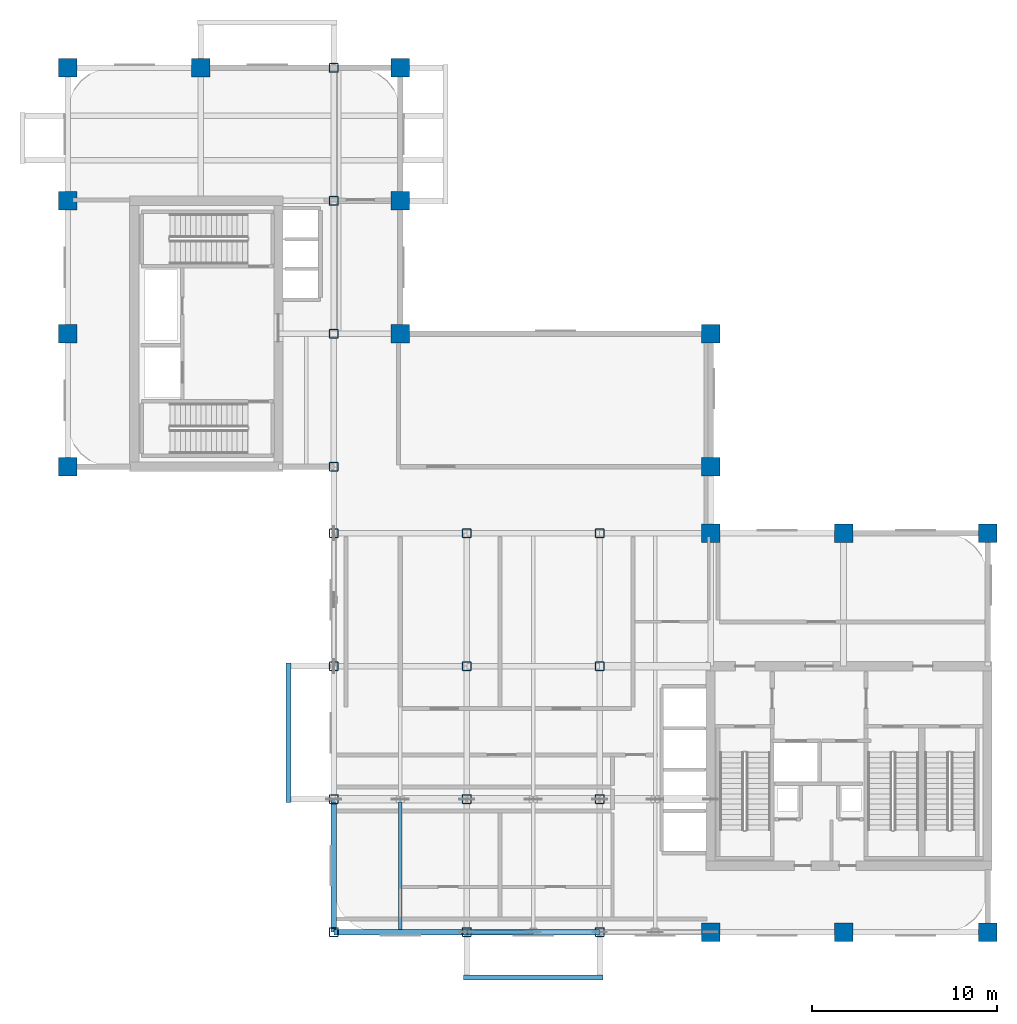
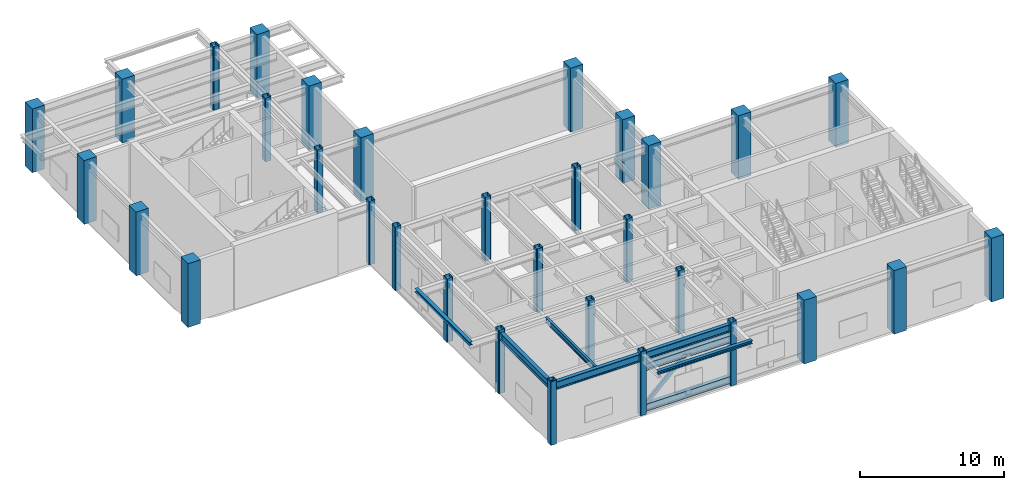
# One storey, part 1 of 10: 32 columns, 6 beams, 3 members.
"""IFC4 building model written with IfcOpenShell, lengths in metres."""

from ifc_helpers import new_model, si_unit, derived_unit, direction, frame, origin, origin_2d, place, context, subcontext, project, spatial, rectangle, hollow_rectangle, i_section, extrude, source, transform, mapped, material, material_profile, profile_set, type_object, type_shapes, element, save


model = new_model("IFC4")

# Units and contexts
model_context = context("Model", 3, precision=1e-05, world=origin(), true_north=direction((0.0, 1.0)))
body_context = subcontext(model_context, "Body", "Model", "MODEL_VIEW")
ifc_project = project(units=[si_unit("LENGTHUNIT", "METRE"), si_unit("AREAUNIT", "SQUARE_METRE"), si_unit("VOLUMEUNIT", "CUBIC_METRE"), si_unit("PLANEANGLEUNIT", "RADIAN"), si_unit("MASSUNIT", "GRAM", prefix="KILO"), si_unit("THERMODYNAMICTEMPERATUREUNIT", "KELVIN"), si_unit("POWERUNIT", "WATT"), derived_unit("THERMALTRANSMITTANCEUNIT", [(si_unit("POWERUNIT", "WATT"), 1), (si_unit("AREAUNIT", "SQUARE_METRE"), -1), (si_unit("THERMODYNAMICTEMPERATUREUNIT", "KELVIN"), -1)])], contexts=[model_context])

# Site, building, storey
site_placement = place(None, origin())
site = spatial("IfcSite", under=ifc_project, at=site_placement, CompositionType="ELEMENT")
building_placement = place(site_placement, origin())
building = spatial("IfcBuilding", under=site, at=building_placement, Name="Zahravan Archway Hotel and Residences", CompositionType="ELEMENT")
storey_placement = place(building_placement, frame((0.0, 0.0, 196.5)))
storey = spatial("IfcBuildingStorey", under=building, at=storey_placement, Name="L49", CompositionType="ELEMENT", Elevation=196.5)

# Columns
ifc_material_1 = material(Name="Concrete C60/75", Category="concrete")
ifc_material_profile_1 = material_profile(ifc_material_1, rectangle(XDim=1.0, YDim=1.0, at=origin_2d()), Name="RC-COL-1000x1000", Category="concrete")
ifc_profile_set_1 = profile_set([ifc_material_profile_1], Name="Concrete C60/75")
column_type_1 = type_object("IfcColumnType", Name="COL-RC-1000", PredefinedType="COLUMN", material=ifc_profile_set_1)
shared_shape_1 = source(origin(), body_context, "Body", "SweptSolid", [
    extrude(rectangle(XDim=1.0, YDim=1.0, at=origin_2d()), origin(), (0.0, 0.0, 1.0), 5.39990234375),
])
for number, where, z_axis, x_axis, name in (
    (1, (0.0, 25.199951171875, 0.0), (0.0, 0.0, 1.0), (1.0, 0.0, 0.0), "L49 Column 1-E"),
    (2, (0.0, 32.39990234375, 0.0), (0.0, 0.0, 1.0), (1.0, 0.0, 0.0), "L49 Column 1-F"),
    (3, (0.0, 39.60009765625, 0.0), (0.0, 0.0, 1.0), (1.0, 0.0, 0.0), "L49 Column 1-G"),
    (4, (0.0, 46.800048828125, 0.0), (0.0, 0.0, 1.0), (1.0, 0.0, 0.0), "L49 Column 1-H"),
    (5, (7.199951171875, 46.800048828125, 0.0), (0.0, 0.0, 1.0), (1.0, 0.0, 0.0), "L49 Column 2-H"),
    (6, (34.800048828125, 0.0, 0.0), (0.0, 0.0, 1.0), (1.0, 0.0, 0.0), "L49 Column 6-A"),
    (7, (34.800048828125, 21.60009765625, 0.0), (0.0, 0.0, 1.0), (1.0, 0.0, 0.0), "L49 Column 6-D"),
    (8, (34.800048828125, 25.199951171875, 0.0), (0.0, 0.0, 1.0), (1.0, 0.0, 0.0), "L49 Column 6-E"),
    (9, (34.800048828125, 32.39990234375, 0.0), (0.0, 0.0, 1.0), (1.0, 0.0, 0.0), "L49 Column 6-F"),
    (10, (42.0, 0.0, 0.0), (0.0, 0.0, 1.0), (1.0, 0.0, 0.0), "L49 Column 7-A"),
    (11, (42.0, 21.60009765625, 0.0), (0.0, 0.0, 1.0), (1.0, 0.0, 0.0), "L49 Column 7-D"),
    (12, (49.800048828125, 0.0, 0.0), (0.0, 0.0, 1.0), (1.0, 0.0, 0.0), "L49 Column 8-A"),
    (13, (49.800048828125, 21.60009765625, 0.0), (0.0, 0.0, 1.0), (1.0, 0.0, 0.0), "L49 Column 8-D"),
    (14, (18.0, 32.39990234375, 0.0), (0.0, 0.0, 1.0), (1.0, 0.0, 0.0), "L49 Column 3B-F"),
    (15, (18.0, 39.60009765625, 0.0), (0.0, 0.0, 1.0), (1.0, 0.0, 0.0), "L49 Column 3B-G"),
    (16, (18.0, 46.800048828125, 0.0), (0.0, 0.0, 1.0), (1.0, 0.0, 0.0), "L49 Column 3B-H"),
):
    element("IfcColumn", number, at=place(storey_placement, frame(where, z_axis=z_axis, x_axis=x_axis)), inside=storey, type_object=column_type_1, Name=name, PredefinedType="COLUMN", context=body_context, shape_type="MappedRepresentation", body=[
        mapped(shared_shape_1, transform((0.0, 0.0, 0.0), scale=1.0)),
    ])
ifc_material_2 = material(Name="Structural Steel S460M", Category="steel")
ifc_material_profile_2 = material_profile(ifc_material_2, hollow_rectangle(XDim=0.5, YDim=0.5, WallThickness=0.030029296875, InnerFilletRadius=0.030029296875, OuterFilletRadius=0.06005859375, at=origin_2d()), Name="SHS 500x500x30", Category="steel")
ifc_profile_set_2 = profile_set([ifc_material_profile_2], Name="Structural Steel S460M")
column_type_2 = type_object("IfcColumnType", Name="COL-STL-SHS500", PredefinedType="COLUMN", material=ifc_profile_set_2)
shared_shape_2 = source(origin(), body_context, "Body", "SweptSolid", [
    extrude(hollow_rectangle(XDim=0.5, YDim=0.5, WallThickness=0.030029296875, InnerFilletRadius=0.030029296875, OuterFilletRadius=0.06005859375, at=origin_2d()), origin(), (0.0, 0.0, 1.0), 5.39990234375),
])
type_shapes(column_type_2, [shared_shape_2])
for number, where, z_axis, x_axis, name in (
    (17, (14.39990234375, 0.0, 0.0), (0.0, 0.0, 1.0), (1.0, 0.0, 0.0), "L49 Column 3-A"),
    (18, (14.39990234375, 7.199951171875, 0.0), (0.0, 0.0, 1.0), (1.0, 0.0, 0.0), "L49 Column 3-B"),
    (19, (14.39990234375, 14.39990234375, 0.0), (0.0, 0.0, 1.0), (1.0, 0.0, 0.0), "L49 Column 3-C"),
    (20, (14.39990234375, 21.60009765625, 0.0), (0.0, 0.0, 1.0), (1.0, 0.0, 0.0), "L49 Column 3-D"),
    (21, (14.39990234375, 25.199951171875, 0.0), (0.0, 0.0, 1.0), (1.0, 0.0, 0.0), "L49 Column 3-E"),
    (22, (14.39990234375, 32.39990234375, 0.0), (0.0, 0.0, 1.0), (1.0, 0.0, 0.0), "L49 Column 3-F"),
    (23, (14.39990234375, 39.60009765625, 0.0), (0.0, 0.0, 1.0), (1.0, 0.0, 0.0), "L49 Column 3-G"),
    (24, (14.39990234375, 46.800048828125, 0.0), (0.0, 0.0, 1.0), (1.0, 0.0, 0.0), "L49 Column 3-H"),
    (25, (21.60009765625, 0.0, 0.0), (0.0, 0.0, 1.0), (1.0, 0.0, 0.0), "L49 Column 4-A"),
    (26, (21.60009765625, 7.199951171875, 0.0), (0.0, 0.0, 1.0), (1.0, 0.0, 0.0), "L49 Column 4-B"),
    (27, (21.60009765625, 14.39990234375, 0.0), (0.0, 0.0, 1.0), (1.0, 0.0, 0.0), "L49 Column 4-C"),
    (28, (21.60009765625, 21.60009765625, 0.0), (0.0, 0.0, 1.0), (1.0, 0.0, 0.0), "L49 Column 4-D"),
    (29, (28.800048828125, 0.0, 0.0), (0.0, 0.0, 1.0), (1.0, 0.0, 0.0), "L49 Column 5-A"),
    (30, (28.800048828125, 7.199951171875, 0.0), (0.0, 0.0, 1.0), (1.0, 0.0, 0.0), "L49 Column 5-B"),
    (31, (28.800048828125, 14.39990234375, 0.0), (0.0, 0.0, 1.0), (1.0, 0.0, 0.0), "L49 Column 5-C"),
    (32, (28.800048828125, 21.60009765625, 0.0), (0.0, 0.0, 1.0), (1.0, 0.0, 0.0), "L49 Column 5-D"),
):
    element("IfcColumn", number, at=place(storey_placement, frame(where, z_axis=z_axis, x_axis=x_axis)), inside=storey, type_object=column_type_2, Name=name, PredefinedType="COLUMN", context=body_context, shape_type="MappedRepresentation", body=[
        mapped(shared_shape_2, transform((0.0, 0.0, 0.0), scale=1.0)),
    ])

# Beams
ifc_material_3 = material(Name="Structural Steel S355JR", Category="steel")
ifc_material_profile_3 = material_profile(ifc_material_3, i_section(OverallWidth=0.300048828125, OverallDepth=0.64990234375, WebThickness=0.01611328125, FlangeThickness=0.031005859375, FilletRadius=0.027099609375, at=origin_2d()), Name="HEB 650", Category="steel")
ifc_profile_set_3 = profile_set([ifc_material_profile_3], Name="Structural Steel S355JR")
beam_type_1 = type_object("IfcBeamType", Name="BM-PRI-HEB650", PredefinedType="BEAM", material=ifc_profile_set_3)
shared_shape_3 = source(origin(), body_context, "Body", "SweptSolid", [
    extrude(i_section(OverallWidth=0.300048828125, OverallDepth=0.64990234375, WebThickness=0.01611328125, FlangeThickness=0.031005859375, FilletRadius=0.027099609375, at=origin_2d()), origin(), (0.0, 0.0, 1.0), 7.2001953125),
])
type_shapes(beam_type_1, [shared_shape_3])
beam_1_placement = place(storey_placement, frame((14.39990234375, 0.0, 4.824951171875), z_axis=(1.0, 0.0, 0.0), x_axis=(0.0, 1.0, 0.0)))
element("IfcBeam", 33, at=beam_1_placement, inside=storey, type_object=beam_type_1, Name="L49 Primary Girder EW-01", PredefinedType="BEAM", context=body_context, shape_type="MappedRepresentation", body=[
    mapped(shared_shape_3, transform((0.0, 0.0, 0.0), scale=1.0)),
])
shared_shape_4 = source(origin(), body_context, "Body", "SweptSolid", [
    extrude(i_section(OverallWidth=0.300048828125, OverallDepth=0.64990234375, WebThickness=0.01611328125, FlangeThickness=0.031005859375, FilletRadius=0.027099609375, at=origin_2d()), origin(), (0.0, 0.0, 1.0), 7.199951171875),
])
for number, where, z_axis, x_axis, name in (
    (34, (21.60009765625, 0.0, 4.824951171875), (1.0, 0.0, 0.0), (0.0, 1.0, 0.0), "L49 Primary Girder EW-02"),
    (35, (14.39990234375, 0.0, 4.824951171875), (0.0, 1.0, 0.0), (-1.0, 0.0, 0.0), "L49 Primary Girder NS-28"),
):
    element("IfcBeam", number, at=place(storey_placement, frame(where, z_axis=z_axis, x_axis=x_axis)), inside=storey, type_object=beam_type_1, Name=name, PredefinedType="BEAM", context=body_context, shape_type="MappedRepresentation", body=[
        mapped(shared_shape_4, transform((0.0, 0.0, 0.0), scale=1.0)),
    ])
ifc_material_profile_4 = material_profile(ifc_material_3, i_section(OverallWidth=0.280029296875, OverallDepth=0.280029296875, WebThickness=0.010498046875, FlangeThickness=0.01806640625, FilletRadius=0.02392578125, at=origin_2d()), Name="HEB 280", Category="steel")
ifc_profile_set_4 = profile_set([ifc_material_profile_4], Name="Structural Steel S355JR")
beam_type_2 = type_object("IfcBeamType", Name="BM-SPN-HEB280", PredefinedType="SPANDREL", material=ifc_profile_set_4)
shared_shape_5 = source(origin(), body_context, "Body", "SweptSolid", [
    extrude(i_section(OverallWidth=0.280029296875, OverallDepth=0.280029296875, WebThickness=0.010498046875, FlangeThickness=0.01806640625, FilletRadius=0.02392578125, at=origin_2d()), origin(), (0.0, 0.0, 1.0), 7.56005859375),
])
type_shapes(beam_type_2, [shared_shape_5])
for number, where, z_axis, x_axis, name in (
    (36, (11.949951171875, 7.02001953125, 5.010009765625), (0.0, 1.0, 0.0), (-1.0, 0.0, 0.0), "L50 WA Balcony Edge Spandrel"),
    (37, (21.419921875, -2.449951171875, 5.010009765625), (1.0, 0.0, 0.0), (0.0, 1.0, 0.0), "L50 SA Balcony Edge Spandrel"),
):
    element("IfcBeam", number, at=place(storey_placement, frame(where, z_axis=z_axis, x_axis=x_axis)), inside=storey, type_object=beam_type_2, Name=name, PredefinedType="SPANDREL", context=body_context, shape_type="MappedRepresentation", body=[
        mapped(shared_shape_5, transform((0.0, 0.0, 0.0), scale=1.0)),
    ])
ifc_material_profile_5 = material_profile(ifc_material_3, i_section(OverallWidth=0.18994140625, OverallDepth=0.449951171875, WebThickness=0.009521484375, FlangeThickness=0.0146484375, FilletRadius=0.02099609375, at=origin_2d()), Name="IPE 450", Category="steel")
ifc_profile_set_5 = profile_set([ifc_material_profile_5], Name="Structural Steel S355JR")
beam_type_3 = type_object("IfcBeamType", Name="BM-JST-IPE450", PredefinedType="JOIST", material=ifc_profile_set_5)
shared_shape_6 = source(origin(), body_context, "Body", "SweptSolid", [
    extrude(i_section(OverallWidth=0.18994140625, OverallDepth=0.449951171875, WebThickness=0.009521484375, FlangeThickness=0.0146484375, FilletRadius=0.02099609375, at=origin_2d()), origin(), (0.0, 0.0, 1.0), 6.904052734375),
])
type_shapes(beam_type_3, [shared_shape_6])
beam_2_placement = place(storey_placement, frame((18.0, 0.14794921875, 4.925048828125), z_axis=(0.0, 1.0, 0.0), x_axis=(-1.0, 0.0, 0.0)))
element("IfcBeam", 38, at=beam_2_placement, inside=storey, type_object=beam_type_3, Name="L49 Composite Floor Joist 01", PredefinedType="JOIST", context=body_context, shape_type="MappedRepresentation", body=[
    mapped(shared_shape_6, transform((0.0, 0.0, 0.0), scale=1.0)),
])

# Members
ifc_material_4 = material(Name="Structural Steel S355J2", Category="steel")
ifc_material_profile_6 = material_profile(ifc_material_4, i_section(OverallWidth=0.304931640625, OverallDepth=0.6201171875, WebThickness=0.02099609375, FlangeThickness=0.0400390625, FilletRadius=0.027099609375, at=origin_2d()), Name="HEM 600", Category="steel")
ifc_profile_set_6 = profile_set([ifc_material_profile_6], Name="Structural Steel S355J2")
member_type_1 = type_object("IfcMemberType", Name="MEM-CHD-HEM600", PredefinedType="CHORD", material=ifc_profile_set_6)
shared_shape_7 = source(origin(), body_context, "Body", "SweptSolid", [
    extrude(i_section(OverallWidth=0.304931640625, OverallDepth=0.6201171875, WebThickness=0.02099609375, FlangeThickness=0.0400390625, FilletRadius=0.027099609375, at=origin_2d()), origin(), (0.0, 0.0, 1.0), 7.199951171875),
])
type_shapes(member_type_1, [shared_shape_7])
for number, where, z_axis, x_axis, name in (
    (39, (21.60009765625, 0.0, 0.449951171875), (1.0, 0.0, 0.0), (0.0, 1.0, 0.0), "L49 Belt Truss BT3 Bottom Chord 1"),
    (40, (21.60009765625, 0.0, 3.89990234375), (1.0, 0.0, 0.0), (0.0, 1.0, 0.0), "L49 Belt Truss BT3 Top Chord 1"),
):
    element("IfcMember", number, at=place(storey_placement, frame(where, z_axis=z_axis, x_axis=x_axis)), inside=storey, type_object=member_type_1, Name=name, PredefinedType="CHORD", context=body_context, shape_type="MappedRepresentation", body=[
        mapped(shared_shape_7, transform((0.0, 0.0, 0.0), scale=1.0)),
    ])
ifc_material_profile_7 = material_profile(ifc_material_4, hollow_rectangle(XDim=0.199951171875, YDim=0.300048828125, WallThickness=0.012451171875, at=origin_2d()), Name="RHS 300x200x12.5", Category="steel")
ifc_profile_set_7 = profile_set([ifc_material_profile_7], Name="Structural Steel S355J2")
member_type_2 = type_object("IfcMemberType", Name="MEM-DIAG-RHS300", PredefinedType="BRACE", material=ifc_profile_set_7)
shared_shape_8 = source(origin(), body_context, "Body", "SweptSolid", [
    extrude(hollow_rectangle(XDim=0.199951171875, YDim=0.300048828125, WallThickness=0.012451171875, at=origin_2d()), origin(), (0.0, 0.0, 1.0), 4.586181640625),
])
type_shapes(member_type_2, [shared_shape_8])
member_placement = place(storey_placement, frame((21.773193359375, 0.0, 0.6162109375), z_axis=(0.722011473464, 0.0, 0.691881082402), x_axis=(0.0, 1.0, 0.0)))
element("IfcMember", 41, at=member_placement, inside=storey, type_object=member_type_2, Name="L49 Belt Truss BT3 Left Brace 1", PredefinedType="BRACE", context=body_context, shape_type="MappedRepresentation", body=[
    mapped(shared_shape_8, transform((0.0, 0.0, 0.0), scale=1.0)),
])

save(model, "model.ifc")
